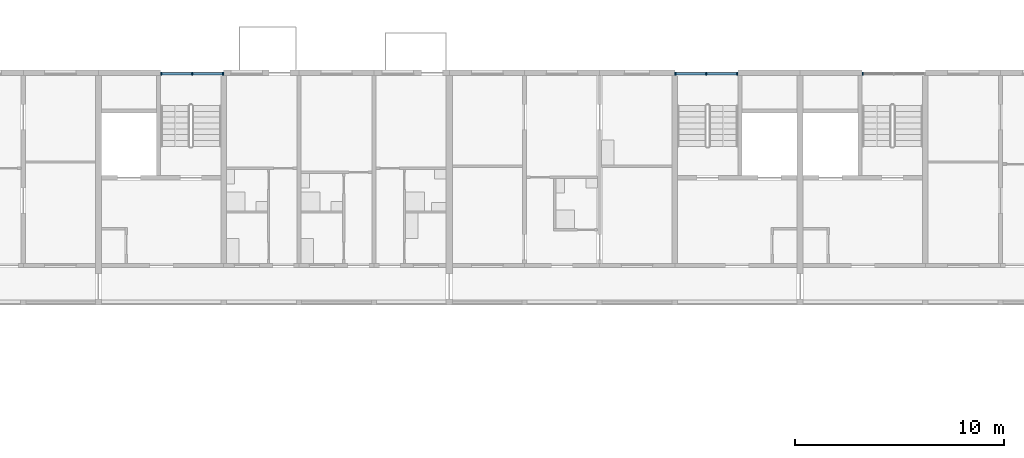
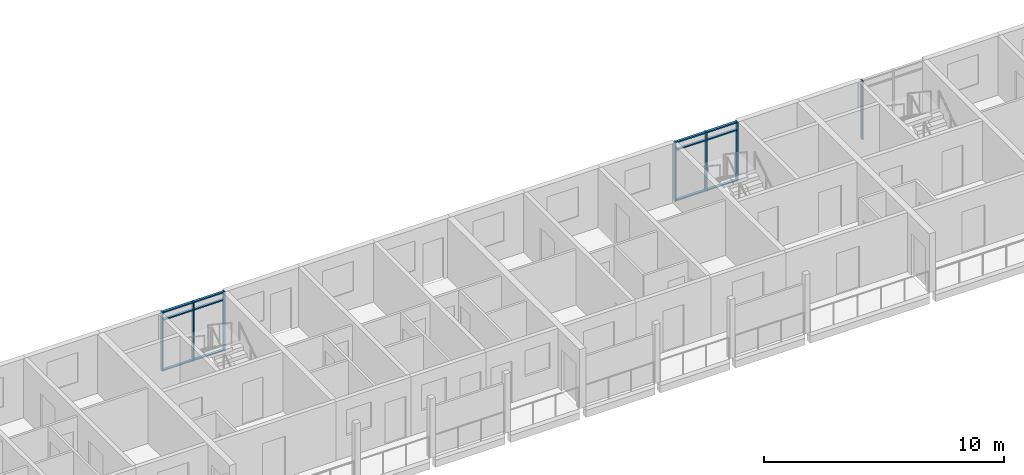
# One storey, part 22 of 98: 19 members, 3 elements without a shape of their own.
"""IFC4 building model written with IfcOpenShell, lengths in metres."""

import ifcopenshell
import ifcopenshell.guid

model = None  # the IFC model being written
_history = None  # IfcOwnerHistory: only IFC2X3 demands one
_inside = {}  # id of a spatial element -> (the spatial element, [elements in it])
_under = {}  # id of a project, library or spatial element -> (it, [spatial elements below it])
_declared = {}  # id of a project -> (the project, [libraries it declares])
_typed = {}  # id of a type object -> (the type object, [elements of that type])
_made_of = {}  # id of a material, layer set ... -> (it, [elements and type objects made of it])


def new_model(schema):
    """Start an empty IFC model of exactly this schema.

    Asked for "IFC4X3", IfcOpenShell would pick the latest addendum, in which some entities
    have other attributes; the version numbers below select the first issue.
    IFC2X3 requires an IfcOwnerHistory on every rooted entity: one is made here for all.
    """
    global model, _history
    if schema == "IFC4X3":
        model = ifcopenshell.file(schema_version=(4, 3, 0, 0))
    else:
        model = ifcopenshell.file(schema=schema)
    _inside.clear()
    _under.clear()
    _declared.clear()
    _typed.clear()
    _made_of.clear()
    _history = None
    if model.schema == "IFC2X3":
        org = make("IfcOrganization", Name="unknown")
        user = make(
            "IfcPersonAndOrganization",
            ThePerson=make("IfcPerson", FamilyName="unknown"),
            TheOrganization=org,
        )
        app = make(
            "IfcApplication",
            ApplicationDeveloper=org,
            Version="unknown",
            ApplicationFullName="unknown",
            ApplicationIdentifier="unknown",
        )
        _history = make(
            "IfcOwnerHistory",
            OwningUser=user,
            OwningApplication=app,
            ChangeAction="ADDED",
            CreationDate=0,
        )
    return model


def make(cls, **values):
    """One entity of the class cls with the attributes given. An attribute that is None is left unset."""
    return model.create_entity(
        cls, **{name: value for name, value in values.items() if value is not None}
    )


def rooted(cls, **values):
    """An entity with a GlobalId (a new one), such as an element, a storey or a relation."""
    return make(cls, GlobalId=ifcopenshell.guid.new(), OwnerHistory=_history, **values)


def si_unit(unit_type, name, prefix=None):
    """IfcSIUnit, for example si_unit("LENGTHUNIT", "METRE", prefix="MILLI")."""
    return make("IfcSIUnit", UnitType=unit_type, Prefix=prefix, Name=name)


def assignment(units):
    """IfcUnitAssignment: the units of a project."""
    return None if units is None else make("IfcUnitAssignment", Units=units)


def point(xyz):
    """IfcCartesianPoint."""
    return None if xyz is None else make("IfcCartesianPoint", Coordinates=xyz)


def direction(xyz):
    """IfcDirection."""
    return None if xyz is None else make("IfcDirection", DirectionRatios=xyz)


def frame(location, z_axis=None, x_axis=None):
    """IfcAxis2Placement3D, a coordinate frame: its origin and axes. An axis left out is left unset."""
    return make(
        "IfcAxis2Placement3D",
        Location=point(location),
        Axis=direction(z_axis),
        RefDirection=direction(x_axis),
    )


def frame_2d(location, x_axis=None):
    """IfcAxis2Placement2D, a coordinate frame in the plane: its origin and x axis."""
    return make(
        "IfcAxis2Placement2D", Location=point(location), RefDirection=direction(x_axis)
    )


def origin():
    """The frame at (0, 0, 0) with its axes left unset."""
    return frame((0.0, 0.0, 0.0))


def origin_2d():
    """The frame at (0, 0) in the plane with its x axis left unset."""
    return frame_2d((0.0, 0.0))


def place(relative_to, where):
    """IfcLocalPlacement: puts the frame where relative to a parent placement (None: the world)."""
    return make(
        "IfcLocalPlacement", PlacementRelTo=relative_to, RelativePlacement=where
    )


def context(
    kind, dimensions, precision=None, world=None, true_north=None, identifier=None
):
    """IfcGeometricRepresentationContext, for example the 3D "Model" context."""
    return make(
        "IfcGeometricRepresentationContext",
        ContextIdentifier=identifier,
        ContextType=kind,
        CoordinateSpaceDimension=dimensions,
        Precision=precision,
        WorldCoordinateSystem=world,
        TrueNorth=true_north,
    )


def subcontext(parent, identifier, kind, view, scale=None):
    """IfcGeometricRepresentationSubContext, for example "Body" below "Model"."""
    return make(
        "IfcGeometricRepresentationSubContext",
        ContextIdentifier=identifier,
        ContextType=kind,
        ParentContext=parent,
        TargetScale=scale,
        TargetView=view,
    )


def project(units=None, contexts=None):
    """IfcProject with its units and contexts."""
    return rooted(
        "IfcProject",
        Name="project",
        RepresentationContexts=contexts,
        UnitsInContext=assignment(units),
    )


def spatial(cls, under=None, at=None, **own):
    """A site, building, storey or space (cls), placed at a placement, below another one or the project."""
    s = rooted(cls, ObjectPlacement=at, **own)
    if under is not None:
        _under.setdefault(under.id(), (under, []))[1].append(s)
    return s


def profile(cls, at=None, kind="AREA", **sizes):
    """A parametric profile (cls). Its sizes go by their IFC names, for example OverallWidth=200.0."""
    return make(cls, ProfileType=kind, Position=at, **sizes)


def rectangle(**sizes):
    """IfcRectangleProfileDef."""
    return profile("IfcRectangleProfileDef", **sizes)


def extrude(swept, where, along, depth):
    """IfcExtrudedAreaSolid: the profile swept, set in the frame where, extruded along a direction by depth."""
    return make(
        "IfcExtrudedAreaSolid",
        SweptArea=swept,
        Position=where,
        ExtrudedDirection=direction(along),
        Depth=depth,
    )


def shape(context_of_items, identifier, shape_type, items):
    """IfcShapeRepresentation: the items that make up one representation, for example the "Body"."""
    return make(
        "IfcShapeRepresentation",
        ContextOfItems=context_of_items,
        RepresentationIdentifier=identifier,
        RepresentationType=shape_type,
        Items=items,
    )


def material(Name=None, Category=None):
    """IfcMaterial."""
    return make("IfcMaterial", Name=Name, Category=Category)


def material_profile(
    of_material, cross_section, Name=None, Category=None, Priority=None
):
    """IfcMaterialProfile: a cross section and its material."""
    return make(
        "IfcMaterialProfile",
        Name=Name,
        Material=of_material,
        Profile=cross_section,
        Priority=Priority,
        Category=Category,
    )


def profile_set(profiles, Name=None, composite=None):
    """IfcMaterialProfileSet."""
    return make(
        "IfcMaterialProfileSet",
        Name=Name,
        MaterialProfiles=profiles,
        CompositeProfile=composite,
    )


def made_of(thing, what):
    """Note that an element or type object is made of a material, layer set ...; save() writes the relation."""
    if what is not None:
        _made_of.setdefault(what.id(), (what, []))[1].append(thing)
    return thing


def type_object(cls, material=None, **own):
    """A type object (cls), such as IfcWallType, which elements share."""
    return made_of(rooted(cls, **own), material)


def element(
    cls,
    number,
    at=None,
    inside=None,
    cuts=None,
    type_object=None,
    material=None,
    context=None,
    identifier="Body",
    shape_type=None,
    held_by="IfcProductDefinitionShape",
    body=None,
    shapes=None,
    **own,
):
    """One element of the class cls, such as IfcWall. Its Tag is "e" and its number.

    at: its placement. inside: the storey or other place that contains it. cuts: it is an
    opening in that element (IfcRelVoidsElement). A single representation is given by context,
    identifier, shape_type and body (its items); several are given by shapes. held_by: the class
    of the entity that holds the representations. save() writes the other relations.
    """
    e = rooted(cls, Tag="e%d" % number, ObjectPlacement=at, **own)
    if body is not None:
        shapes = [shape(context, identifier, shape_type, body)]
    if shapes is not None:
        e.Representation = make(held_by, Representations=shapes)
    if inside is not None:
        _inside.setdefault(inside.id(), (inside, []))[1].append(e)
    if cuts is not None:
        rooted(
            "IfcRelVoidsElement", RelatingBuildingElement=cuts, RelatedOpeningElement=e
        )
    if type_object is not None:
        _typed.setdefault(type_object.id(), (type_object, []))[1].append(e)
    return made_of(e, material)


def aggregate(whole, parts):
    """IfcRelAggregates: a whole, such as a stair, and the parts it consists of."""
    return rooted("IfcRelAggregates", RelatingObject=whole, RelatedObjects=parts)


def save(model, path):
    """Write the relations noted so far, then the file.

    IfcRelAggregates (storeys below a building ...), IfcRelContainedInSpatialStructure (elements
    in a storey), IfcRelDefinesByType, IfcRelAssociatesMaterial and IfcRelDeclares: one each for
    every whole, place, type object, material and project.
    """
    for whole, parts in _under.values():
        aggregate(whole, parts)
    for where, things in _inside.values():
        rooted(
            "IfcRelContainedInSpatialStructure",
            RelatedElements=things,
            RelatingStructure=where,
        )
    for kind, things in _typed.values():
        rooted("IfcRelDefinesByType", RelatedObjects=things, RelatingType=kind)
    for what, things in _made_of.values():
        rooted("IfcRelAssociatesMaterial", RelatedObjects=things, RelatingMaterial=what)
    for by, libraries in _declared.values():
        rooted("IfcRelDeclares", RelatingContext=by, RelatedDefinitions=libraries)
    model.write(path)


model = new_model("IFC4")

# Units and contexts
model_context = context("Model", 3, precision=1e-05, world=origin(), true_north=direction((0.0, 1.0)))
body_context = subcontext(model_context, "Body", "Model", "MODEL_VIEW")
ifc_project = project(units=[si_unit("LENGTHUNIT", "METRE"), si_unit("AREAUNIT", "SQUARE_METRE"), si_unit("VOLUMEUNIT", "CUBIC_METRE"), si_unit("PLANEANGLEUNIT", "RADIAN"), si_unit("MASSUNIT", "GRAM", prefix="KILO")], contexts=[model_context])

# Site, building, storey
site_placement = place(None, origin())
site = spatial("IfcSite", under=ifc_project, at=site_placement, CompositionType="ELEMENT")
building_placement = place(site_placement, origin())
building = spatial("IfcBuilding", under=site, at=building_placement, Name="Ridgestep Commons", CompositionType="ELEMENT")
storey_placement = place(building_placement, frame((0.0, 0.0, 12.0)))
storey = spatial("IfcBuildingStorey", under=building, at=storey_placement, Name="L04", CompositionType="ELEMENT", Elevation=12.0)

# Curtain wall, members
ifc_material_1 = material(Name="Aluminium 6063-T6 and glass", Category="aluminium")
curtain_wall_type = type_object("IfcCurtainWallType", Name="Curtain wall stair strip", PredefinedType="NOTDEFINED", material=ifc_material_1)
curtain_wall_1_placement = place(storey_placement, origin())
curtain_wall_1 = element("IfcCurtainWall", 1, at=curtain_wall_1_placement, inside=storey, type_object=curtain_wall_type, Name="Curtain wall C4C level 04", PredefinedType="NOTDEFINED")
ifc_material_2 = material(Name="Aluminium 6063-T6", Category="aluminium")
ifc_material_profile_1 = material_profile(ifc_material_2, rectangle(XDim=0.159912109375, YDim=0.06005859375, at=origin_2d()), Name="Mullion 60 x 160")
ifc_profile_set_1 = profile_set([ifc_material_profile_1], Name="Aluminium 6063-T6")
member_type_1 = type_object("IfcMemberType", Name="Mullion 60 x 160", PredefinedType="MULLION", material=ifc_profile_set_1)
member_1_placement = place(storey_placement, frame((200.205078125, 77.080078125, 0.0), z_axis=(0.0, 0.0, 1.0), x_axis=(0.0, 1.0, 0.0)))
member_1 = element("IfcMember", 2, at=member_1_placement, type_object=member_type_1, Name="CW1 mullion 1", PredefinedType="MULLION", context=body_context, shape_type="SweptSolid", body=[
    extrude(rectangle(XDim=0.159912109375, YDim=0.06005859375, at=origin_2d()), origin(), (0.0, 0.0, 1.0), 3.0),
])
member_2_placement = place(storey_placement, frame((201.6875, 77.080078125, 0.0), z_axis=(0.0, 0.0, 1.0), x_axis=(0.0, 1.0, 0.0)))
member_2 = element("IfcMember", 3, at=member_2_placement, type_object=member_type_1, Name="CW1 mullion 2", PredefinedType="MULLION", context=body_context, shape_type="SweptSolid", body=[
    extrude(rectangle(XDim=0.159912109375, YDim=0.06005859375, at=origin_2d()), origin(), (0.0, 0.0, 1.0), 3.0),
])
member_3_placement = place(storey_placement, frame((203.169921875, 77.080078125, 0.0), z_axis=(0.0, 0.0, 1.0), x_axis=(0.0, 1.0, 0.0)))
member_3 = element("IfcMember", 4, at=member_3_placement, type_object=member_type_1, Name="CW1 mullion 3", PredefinedType="MULLION", context=body_context, shape_type="SweptSolid", body=[
    extrude(rectangle(XDim=0.159912109375, YDim=0.06005859375, at=origin_2d()), origin(), (0.0, 0.0, 1.0), 3.0),
])

curtain_wall_2_placement = place(storey_placement, origin())
curtain_wall_2 = element("IfcCurtainWall", 5, at=curtain_wall_2_placement, inside=storey, type_object=curtain_wall_type, Name="Curtain wall C5C level 04", PredefinedType="NOTDEFINED")
member_4_placement = place(storey_placement, frame((224.830078125, 77.080078125, 0.0), z_axis=(0.0, 0.0, 1.0), x_axis=(0.0, 1.0, 0.0)))
member_4 = element("IfcMember", 6, at=member_4_placement, type_object=member_type_1, Name="CW1 mullion 1", PredefinedType="MULLION", context=body_context, shape_type="SweptSolid", body=[
    extrude(rectangle(XDim=0.159912109375, YDim=0.06005859375, at=origin_2d()), origin(), (0.0, 0.0, 1.0), 3.0),
])
member_5_placement = place(storey_placement, frame((226.3125, 77.080078125, 0.0), z_axis=(0.0, 0.0, 1.0), x_axis=(0.0, 1.0, 0.0)))
member_5 = element("IfcMember", 7, at=member_5_placement, type_object=member_type_1, Name="CW1 mullion 2", PredefinedType="MULLION", context=body_context, shape_type="SweptSolid", body=[
    extrude(rectangle(XDim=0.159912109375, YDim=0.06005859375, at=origin_2d()), origin(), (0.0, 0.0, 1.0), 3.0),
])
member_6_placement = place(storey_placement, frame((227.794921875, 77.080078125, 0.0), z_axis=(0.0, 0.0, 1.0), x_axis=(0.0, 1.0, 0.0)))
member_6 = element("IfcMember", 8, at=member_6_placement, type_object=member_type_1, Name="CW1 mullion 3", PredefinedType="MULLION", context=body_context, shape_type="SweptSolid", body=[
    extrude(rectangle(XDim=0.159912109375, YDim=0.06005859375, at=origin_2d()), origin(), (0.0, 0.0, 1.0), 3.0),
])

# Curtain wall, member
curtain_wall_3_placement = place(storey_placement, origin())
curtain_wall_3 = element("IfcCurtainWall", 9, at=curtain_wall_3_placement, inside=storey, type_object=curtain_wall_type, Name="Curtain wall C6C level 04", PredefinedType="NOTDEFINED")
member_7_placement = place(storey_placement, frame((233.804931640625, 77.080078125, 0.0), z_axis=(0.0, 0.0, 1.0), x_axis=(0.0, 1.0, 0.0)))
member_7 = element("IfcMember", 10, at=member_7_placement, type_object=member_type_1, Name="CW1 mullion 1", PredefinedType="MULLION", context=body_context, shape_type="SweptSolid", body=[
    extrude(rectangle(XDim=0.159912109375, YDim=0.06005859375, at=origin_2d()), origin(), (0.0, 0.0, 1.0), 3.0),
])
aggregate(curtain_wall_3, [member_7])

# Member
ifc_material_3 = material(Name="Aluminium 6063-T6", Category="aluminium")
ifc_material_profile_2 = material_profile(ifc_material_3, rectangle(XDim=0.1201171875, YDim=0.06005859375, at=origin_2d()), Name="Transom 60 x 120")
ifc_profile_set_2 = profile_set([ifc_material_profile_2], Name="Aluminium 6063-T6")
member_type_2 = type_object("IfcMemberType", Name="Transom 60 x 120", PredefinedType="USERDEFINED", material=ifc_profile_set_2)
member_8_placement = place(storey_placement, frame((200.235107421875, 77.080078125, 0.030029296875), z_axis=(1.0, 0.0, 0.0), x_axis=(0.0, 1.0, 0.0)))
member_8 = element("IfcMember", 11, at=member_8_placement, type_object=member_type_2, Name="CW1 transom 1.1", ObjectType="TRANSOM", PredefinedType="USERDEFINED", context=body_context, shape_type="SweptSolid", body=[
    extrude(rectangle(XDim=0.1201171875, YDim=0.06005859375, at=origin_2d()), origin(), (0.0, 0.0, 1.0), 1.42236328125),
])

member_9_placement = place(storey_placement, frame((200.235107421875, 77.080078125, 2.590087890625), z_axis=(1.0, 0.0, 0.0), x_axis=(0.0, 1.0, 0.0)))
member_9 = element("IfcMember", 12, at=member_9_placement, type_object=member_type_2, Name="CW1 transom 1.2", ObjectType="TRANSOM", PredefinedType="USERDEFINED", context=body_context, shape_type="SweptSolid", body=[
    extrude(rectangle(XDim=0.1201171875, YDim=0.06005859375, at=origin_2d()), origin(), (0.0, 0.0, 1.0), 1.42236328125),
])

member_10_placement = place(storey_placement, frame((200.235107421875, 77.080078125, 2.969970703125), z_axis=(1.0, 0.0, 0.0), x_axis=(0.0, 1.0, 0.0)))
member_10 = element("IfcMember", 13, at=member_10_placement, type_object=member_type_2, Name="CW1 transom 1.3", ObjectType="TRANSOM", PredefinedType="USERDEFINED", context=body_context, shape_type="SweptSolid", body=[
    extrude(rectangle(XDim=0.1201171875, YDim=0.06005859375, at=origin_2d()), origin(), (0.0, 0.0, 1.0), 1.42236328125),
])

member_11_placement = place(storey_placement, frame((201.717529296875, 77.080078125, 0.030029296875), z_axis=(1.0, 0.0, 0.0), x_axis=(0.0, 1.0, 0.0)))
member_11 = element("IfcMember", 14, at=member_11_placement, type_object=member_type_2, Name="CW1 transom 2.1", ObjectType="TRANSOM", PredefinedType="USERDEFINED", context=body_context, shape_type="SweptSolid", body=[
    extrude(rectangle(XDim=0.1201171875, YDim=0.06005859375, at=origin_2d()), origin(), (0.0, 0.0, 1.0), 1.42236328125),
])

member_12_placement = place(storey_placement, frame((201.717529296875, 77.080078125, 2.590087890625), z_axis=(1.0, 0.0, 0.0), x_axis=(0.0, 1.0, 0.0)))
member_12 = element("IfcMember", 15, at=member_12_placement, type_object=member_type_2, Name="CW1 transom 2.2", ObjectType="TRANSOM", PredefinedType="USERDEFINED", context=body_context, shape_type="SweptSolid", body=[
    extrude(rectangle(XDim=0.1201171875, YDim=0.06005859375, at=origin_2d()), origin(), (0.0, 0.0, 1.0), 1.42236328125),
])

member_13_placement = place(storey_placement, frame((201.717529296875, 77.080078125, 2.969970703125), z_axis=(1.0, 0.0, 0.0), x_axis=(0.0, 1.0, 0.0)))
member_13 = element("IfcMember", 16, at=member_13_placement, type_object=member_type_2, Name="CW1 transom 2.3", ObjectType="TRANSOM", PredefinedType="USERDEFINED", context=body_context, shape_type="SweptSolid", body=[
    extrude(rectangle(XDim=0.1201171875, YDim=0.06005859375, at=origin_2d()), origin(), (0.0, 0.0, 1.0), 1.42236328125),
])

aggregate(curtain_wall_1, [member_1, member_2, member_3, member_8, member_9, member_10, member_11, member_12, member_13])

member_14_placement = place(storey_placement, frame((224.860107421875, 77.080078125, 0.030029296875), z_axis=(1.0, 0.0, 0.0), x_axis=(0.0, 1.0, 0.0)))
member_14 = element("IfcMember", 17, at=member_14_placement, type_object=member_type_2, Name="CW1 transom 1.1", ObjectType="TRANSOM", PredefinedType="USERDEFINED", context=body_context, shape_type="SweptSolid", body=[
    extrude(rectangle(XDim=0.1201171875, YDim=0.06005859375, at=origin_2d()), origin(), (0.0, 0.0, 1.0), 1.42236328125),
])

member_15_placement = place(storey_placement, frame((224.860107421875, 77.080078125, 2.590087890625), z_axis=(1.0, 0.0, 0.0), x_axis=(0.0, 1.0, 0.0)))
member_15 = element("IfcMember", 18, at=member_15_placement, type_object=member_type_2, Name="CW1 transom 1.2", ObjectType="TRANSOM", PredefinedType="USERDEFINED", context=body_context, shape_type="SweptSolid", body=[
    extrude(rectangle(XDim=0.1201171875, YDim=0.06005859375, at=origin_2d()), origin(), (0.0, 0.0, 1.0), 1.42236328125),
])

member_16_placement = place(storey_placement, frame((224.860107421875, 77.080078125, 2.969970703125), z_axis=(1.0, 0.0, 0.0), x_axis=(0.0, 1.0, 0.0)))
member_16 = element("IfcMember", 19, at=member_16_placement, type_object=member_type_2, Name="CW1 transom 1.3", ObjectType="TRANSOM", PredefinedType="USERDEFINED", context=body_context, shape_type="SweptSolid", body=[
    extrude(rectangle(XDim=0.1201171875, YDim=0.06005859375, at=origin_2d()), origin(), (0.0, 0.0, 1.0), 1.42236328125),
])

member_17_placement = place(storey_placement, frame((226.342529296875, 77.080078125, 0.030029296875), z_axis=(1.0, 0.0, 0.0), x_axis=(0.0, 1.0, 0.0)))
member_17 = element("IfcMember", 20, at=member_17_placement, type_object=member_type_2, Name="CW1 transom 2.1", ObjectType="TRANSOM", PredefinedType="USERDEFINED", context=body_context, shape_type="SweptSolid", body=[
    extrude(rectangle(XDim=0.1201171875, YDim=0.06005859375, at=origin_2d()), origin(), (0.0, 0.0, 1.0), 1.42236328125),
])

member_18_placement = place(storey_placement, frame((226.342529296875, 77.080078125, 2.590087890625), z_axis=(1.0, 0.0, 0.0), x_axis=(0.0, 1.0, 0.0)))
member_18 = element("IfcMember", 21, at=member_18_placement, type_object=member_type_2, Name="CW1 transom 2.2", ObjectType="TRANSOM", PredefinedType="USERDEFINED", context=body_context, shape_type="SweptSolid", body=[
    extrude(rectangle(XDim=0.1201171875, YDim=0.06005859375, at=origin_2d()), origin(), (0.0, 0.0, 1.0), 1.42236328125),
])

member_19_placement = place(storey_placement, frame((226.342529296875, 77.080078125, 2.969970703125), z_axis=(1.0, 0.0, 0.0), x_axis=(0.0, 1.0, 0.0)))
member_19 = element("IfcMember", 22, at=member_19_placement, type_object=member_type_2, Name="CW1 transom 2.3", ObjectType="TRANSOM", PredefinedType="USERDEFINED", context=body_context, shape_type="SweptSolid", body=[
    extrude(rectangle(XDim=0.1201171875, YDim=0.06005859375, at=origin_2d()), origin(), (0.0, 0.0, 1.0), 1.42236328125),
])

aggregate(curtain_wall_2, [member_4, member_5, member_6, member_14, member_15, member_16, member_17, member_18, member_19])

save(model, "model.ifc")
